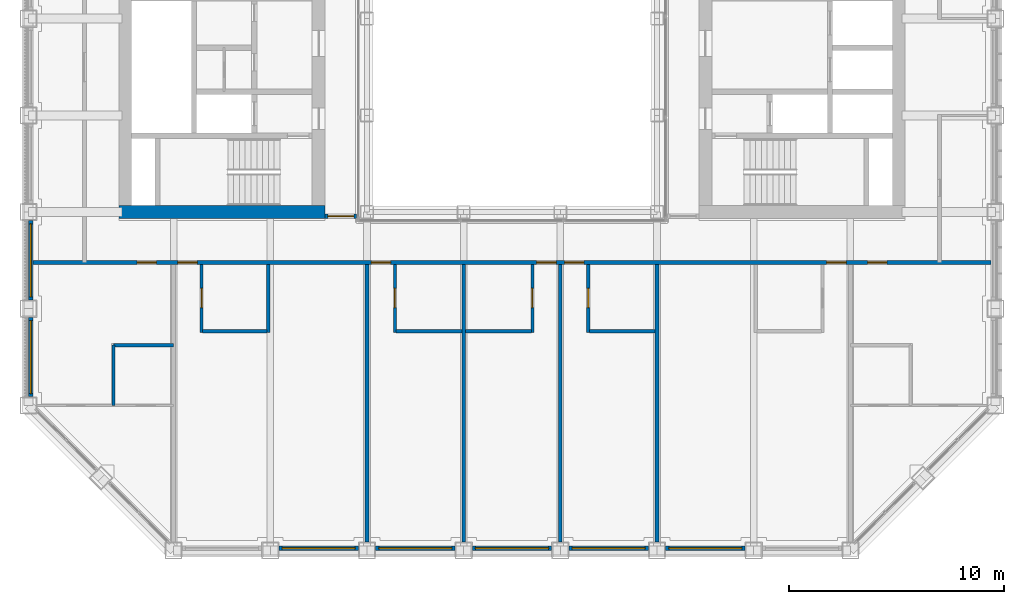
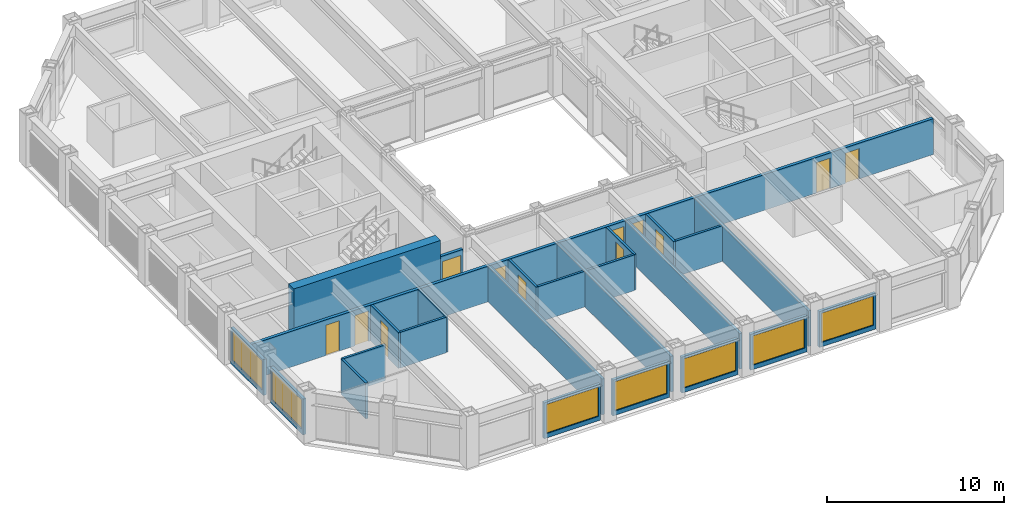
# One storey, part 10 of 17: 25 walls, 12 doors, 7 windows, 19 openings.
"""IFC4 building model written with IfcOpenShell, lengths in metres."""

from ifc_helpers import new_model, si_unit, direction, frame, frame_2d, origin, place, context, subcontext, project, spatial, rectangle, extrude, material, layer, layer_set, type_object, element, fill, save


model = new_model("IFC4")

# Units and contexts
model_context = context("Model", 3, precision=1e-05, world=origin(), true_north=direction((0.0, 1.0)))
body_context = subcontext(model_context, "Body", "Model", "MODEL_VIEW")
ifc_project = project(units=[si_unit("LENGTHUNIT", "METRE"), si_unit("AREAUNIT", "SQUARE_METRE"), si_unit("VOLUMEUNIT", "CUBIC_METRE"), si_unit("PLANEANGLEUNIT", "RADIAN"), si_unit("MASSUNIT", "GRAM", prefix="KILO")], contexts=[model_context])

# Site, building, storey
site_placement = place(None, origin())
site = spatial("IfcSite", under=ifc_project, at=site_placement, CompositionType="ELEMENT")
building_placement = place(site_placement, origin())
building = spatial("IfcBuilding", under=site, at=building_placement, Name="Msasa Ring Tower", CompositionType="ELEMENT")
storey_placement = place(building_placement, frame((0.0, 0.0, 154.39990234375)))
storey = spatial("IfcBuildingStorey", under=building, at=storey_placement, Name="L40", CompositionType="ELEMENT", Elevation=154.39990234375)

# Wall
ifc_material_1 = material(Name="Concrete C60/75", Category="concrete")
ifc_layer_1 = layer(ifc_material_1, 0.60009765625)
ifc_layer_set_1 = layer_set([ifc_layer_1], Name="CW2 CORE WALL 600")
wall_type_1 = type_object("IfcWallType", Name="CW2 CORE WALL 600", PredefinedType="SHEAR", material=ifc_layer_set_1)
wall_1_placement = place(storey_placement, frame((-8.699951171875, -6.75, 0.0), z_axis=(0.0, 0.0, 1.0), x_axis=(-1.0, 0.0, 0.0)))
element("IfcWall", 1, at=wall_1_placement, inside=storey, type_object=wall_type_1, Name="W core wall S L40", PredefinedType="SHEAR", context=body_context, shape_type="SweptSolid", body=[
    extrude(rectangle(XDim=9.60009765625, YDim=0.60009765625, at=frame_2d((4.800048828125, 0.0))), origin(), (0.0, 0.0, 1.0), 3.60009765625),
])

# Wall, opening, window
ifc_material_2 = material(Name="Terracotta rainscreen on blockwork", Category="masonry")
ifc_layer_2 = layer(ifc_material_2, 0.199951171875)
ifc_layer_set_2 = layer_set([ifc_layer_2], Name="FW1 TERRACOTTA-LINED INFILL BAY WALL 200")
wall_type_2 = type_object("IfcWallType", Name="FW1 TERRACOTTA-LINED INFILL BAY WALL 200", PredefinedType="SOLIDWALL", material=ifc_layer_set_2)
wall_2_placement = place(storey_placement, frame((-10.844970703125, -22.39990234375, 0.0), z_axis=(0.0, 0.0, 1.0), x_axis=(1.0, 0.0, 0.0)))
wall_2 = element("IfcWall", 2, at=wall_2_placement, inside=storey, type_object=wall_type_2, Name="Infill bay wall S L40 01", PredefinedType="SOLIDWALL", context=body_context, shape_type="SweptSolid", body=[
    extrude(rectangle(XDim=3.68994140625, YDim=0.199951171875, at=frame_2d((1.844970703125, 0.0))), origin(), (0.0, 0.0, 1.0), 2.47900390625),
])
opening_1_placement = place(wall_2_placement, frame((0.14501953125, 0.0, 0.300048828125)))
opening_1 = element("IfcOpeningElement", 3, at=opening_1_placement, cuts=wall_2, Name="Opening WN2", PredefinedType="OPENING", context=body_context, shape_type="SweptSolid", body=[
    extrude(rectangle(XDim=3.39990234375, YDim=2.029052734375, at=frame_2d((1.699951171875, 1.0146484375))), frame((0.0, 0.10986328125, 0.0), z_axis=(0.0, -1.0, 0.0), x_axis=(1.0, 0.0, 0.0)), (0.0, 0.0, 1.0), 0.219970703125),
])
ifc_material_3 = material(Name="Aluminium frame with clear glass", Category="aluminium")
window_type = type_object("IfcWindowType", Name="WN2 GUEST ROOM WINDOW 3400x2029", PartitioningType="SINGLE_PANEL", PredefinedType="WINDOW", material=ifc_material_3)
window_1_placement = place(opening_1_placement, origin())
window_1 = element("IfcWindow", 4, at=window_1_placement, inside=storey, type_object=window_type, Name="Window S L40 01", OverallHeight=2.029052734375, OverallWidth=3.39990234375, PartitioningType="SINGLE_PANEL", PredefinedType="WINDOW", context=body_context, shape_type="SweptSolid", body=[
    extrude(rectangle(XDim=3.39990234375, YDim=2.029052734375, at=frame_2d((1.699951171875, 1.0146484375))), frame((0.0, 0.030029296875, 0.0), z_axis=(0.0, -1.0, 0.0), x_axis=(1.0, 0.0, 0.0)), (0.0, 0.0, 1.0), 0.06005859375),
])
fill(opening_1, window_1)

wall_3_placement = place(storey_placement, frame((-6.344970703125, -22.39990234375, 0.0), z_axis=(0.0, 0.0, 1.0), x_axis=(1.0, 0.0, 0.0)))
wall_3 = element("IfcWall", 5, at=wall_3_placement, inside=storey, type_object=wall_type_2, Name="Infill bay wall S L40 02", PredefinedType="SOLIDWALL", context=body_context, shape_type="SweptSolid", body=[
    extrude(rectangle(XDim=3.68994140625, YDim=0.199951171875, at=frame_2d((1.844970703125, 0.0))), origin(), (0.0, 0.0, 1.0), 2.47900390625),
])
opening_2_placement = place(wall_3_placement, frame((0.14501953125, 0.0, 0.300048828125)))
opening_2 = element("IfcOpeningElement", 6, at=opening_2_placement, cuts=wall_3, Name="Opening WN2", PredefinedType="OPENING", context=body_context, shape_type="SweptSolid", body=[
    extrude(rectangle(XDim=3.39990234375, YDim=2.029052734375, at=frame_2d((1.699951171875, 1.0146484375))), frame((0.0, 0.10986328125, 0.0), z_axis=(0.0, -1.0, 0.0), x_axis=(1.0, 0.0, 0.0)), (0.0, 0.0, 1.0), 0.219970703125),
])
window_2_placement = place(opening_2_placement, origin())
window_2 = element("IfcWindow", 7, at=window_2_placement, inside=storey, type_object=window_type, Name="Window S L40 02", OverallHeight=2.029052734375, OverallWidth=3.39990234375, PartitioningType="SINGLE_PANEL", PredefinedType="WINDOW", context=body_context, shape_type="SweptSolid", body=[
    extrude(rectangle(XDim=3.39990234375, YDim=2.029052734375, at=frame_2d((1.699951171875, 1.0146484375))), frame((0.0, 0.030029296875, 0.0), z_axis=(0.0, -1.0, 0.0), x_axis=(1.0, 0.0, 0.0)), (0.0, 0.0, 1.0), 0.06005859375),
])
fill(opening_2, window_2)

wall_4_placement = place(storey_placement, frame((-1.844970703125, -22.39990234375, 0.0), z_axis=(0.0, 0.0, 1.0), x_axis=(1.0, 0.0, 0.0)))
wall_4 = element("IfcWall", 8, at=wall_4_placement, inside=storey, type_object=wall_type_2, Name="Infill bay wall S L40 03", PredefinedType="SOLIDWALL", context=body_context, shape_type="SweptSolid", body=[
    extrude(rectangle(XDim=3.68994140625, YDim=0.199951171875, at=frame_2d((1.844970703125, 0.0))), origin(), (0.0, 0.0, 1.0), 2.47900390625),
])
opening_3_placement = place(wall_4_placement, frame((0.14501953125, 0.0, 0.300048828125)))
opening_3 = element("IfcOpeningElement", 9, at=opening_3_placement, cuts=wall_4, Name="Opening WN2", PredefinedType="OPENING", context=body_context, shape_type="SweptSolid", body=[
    extrude(rectangle(XDim=3.39990234375, YDim=2.029052734375, at=frame_2d((1.699951171875, 1.0146484375))), frame((0.0, 0.10986328125, 0.0), z_axis=(0.0, -1.0, 0.0), x_axis=(1.0, 0.0, 0.0)), (0.0, 0.0, 1.0), 0.219970703125),
])
window_3_placement = place(opening_3_placement, origin())
window_3 = element("IfcWindow", 10, at=window_3_placement, inside=storey, type_object=window_type, Name="Window S L40 03", OverallHeight=2.029052734375, OverallWidth=3.39990234375, PartitioningType="SINGLE_PANEL", PredefinedType="WINDOW", context=body_context, shape_type="SweptSolid", body=[
    extrude(rectangle(XDim=3.39990234375, YDim=2.029052734375, at=frame_2d((1.699951171875, 1.0146484375))), frame((0.0, 0.030029296875, 0.0), z_axis=(0.0, -1.0, 0.0), x_axis=(1.0, 0.0, 0.0)), (0.0, 0.0, 1.0), 0.06005859375),
])
fill(opening_3, window_3)

wall_5_placement = place(storey_placement, frame((2.655029296875, -22.39990234375, 0.0), z_axis=(0.0, 0.0, 1.0), x_axis=(1.0, 0.0, 0.0)))
wall_5 = element("IfcWall", 11, at=wall_5_placement, inside=storey, type_object=wall_type_2, Name="Infill bay wall S L40 04", PredefinedType="SOLIDWALL", context=body_context, shape_type="SweptSolid", body=[
    extrude(rectangle(XDim=3.68994140625, YDim=0.199951171875, at=frame_2d((1.844970703125, 0.0))), origin(), (0.0, 0.0, 1.0), 2.47900390625),
])
opening_4_placement = place(wall_5_placement, frame((0.14501953125, 0.0, 0.300048828125)))
opening_4 = element("IfcOpeningElement", 12, at=opening_4_placement, cuts=wall_5, Name="Opening WN2", PredefinedType="OPENING", context=body_context, shape_type="SweptSolid", body=[
    extrude(rectangle(XDim=3.39990234375, YDim=2.029052734375, at=frame_2d((1.699951171875, 1.0146484375))), frame((0.0, 0.10986328125, 0.0), z_axis=(0.0, -1.0, 0.0), x_axis=(1.0, 0.0, 0.0)), (0.0, 0.0, 1.0), 0.219970703125),
])
window_4_placement = place(opening_4_placement, origin())
window_4 = element("IfcWindow", 13, at=window_4_placement, inside=storey, type_object=window_type, Name="Window S L40 04", OverallHeight=2.029052734375, OverallWidth=3.39990234375, PartitioningType="SINGLE_PANEL", PredefinedType="WINDOW", context=body_context, shape_type="SweptSolid", body=[
    extrude(rectangle(XDim=3.39990234375, YDim=2.029052734375, at=frame_2d((1.699951171875, 1.0146484375))), frame((0.0, 0.030029296875, 0.0), z_axis=(0.0, -1.0, 0.0), x_axis=(1.0, 0.0, 0.0)), (0.0, 0.0, 1.0), 0.06005859375),
])
fill(opening_4, window_4)

wall_6_placement = place(storey_placement, frame((7.155029296875, -22.39990234375, 0.0), z_axis=(0.0, 0.0, 1.0), x_axis=(1.0, 0.0, 0.0)))
wall_6 = element("IfcWall", 14, at=wall_6_placement, inside=storey, type_object=wall_type_2, Name="Infill bay wall S L40 05", PredefinedType="SOLIDWALL", context=body_context, shape_type="SweptSolid", body=[
    extrude(rectangle(XDim=3.68994140625, YDim=0.199951171875, at=frame_2d((1.844970703125, 0.0))), origin(), (0.0, 0.0, 1.0), 2.47900390625),
])
opening_5_placement = place(wall_6_placement, frame((0.14501953125, 0.0, 0.300048828125)))
opening_5 = element("IfcOpeningElement", 15, at=opening_5_placement, cuts=wall_6, Name="Opening WN2", PredefinedType="OPENING", context=body_context, shape_type="SweptSolid", body=[
    extrude(rectangle(XDim=3.39990234375, YDim=2.029052734375, at=frame_2d((1.699951171875, 1.0146484375))), frame((0.0, 0.10986328125, 0.0), z_axis=(0.0, -1.0, 0.0), x_axis=(1.0, 0.0, 0.0)), (0.0, 0.0, 1.0), 0.219970703125),
])
window_5_placement = place(opening_5_placement, origin())
window_5 = element("IfcWindow", 16, at=window_5_placement, inside=storey, type_object=window_type, Name="Window S L40 05", OverallHeight=2.029052734375, OverallWidth=3.39990234375, PartitioningType="SINGLE_PANEL", PredefinedType="WINDOW", context=body_context, shape_type="SweptSolid", body=[
    extrude(rectangle(XDim=3.39990234375, YDim=2.029052734375, at=frame_2d((1.699951171875, 1.0146484375))), frame((0.0, 0.030029296875, 0.0), z_axis=(0.0, -1.0, 0.0), x_axis=(1.0, 0.0, 0.0)), (0.0, 0.0, 1.0), 0.06005859375),
])
fill(opening_5, window_5)

wall_7_placement = place(storey_placement, frame((-22.39990234375, -15.344970703125, 0.0), z_axis=(0.0, 0.0, 1.0), x_axis=(0.0, 1.0, 0.0)))
wall_7 = element("IfcWall", 17, at=wall_7_placement, inside=storey, type_object=wall_type_2, Name="Infill bay wall W L40 27", PredefinedType="SOLIDWALL", context=body_context, shape_type="SweptSolid", body=[
    extrude(rectangle(XDim=3.68994140625, YDim=0.199951171875, at=frame_2d((1.844970703125, 0.0))), origin(), (0.0, 0.0, 1.0), 2.47900390625),
])
opening_6_placement = place(wall_7_placement, frame((0.14501953125, 0.0, 0.300048828125)))
opening_6 = element("IfcOpeningElement", 18, at=opening_6_placement, cuts=wall_7, Name="Opening WN2", PredefinedType="OPENING", context=body_context, shape_type="SweptSolid", body=[
    extrude(rectangle(XDim=3.39990234375, YDim=2.029052734375, at=frame_2d((1.699951171875, 1.0146484375))), frame((0.0, 0.10986328125, 0.0), z_axis=(0.0, -1.0, 0.0), x_axis=(1.0, 0.0, 0.0)), (0.0, 0.0, 1.0), 0.219970703125),
])
window_6_placement = place(opening_6_placement, origin())
window_6 = element("IfcWindow", 19, at=window_6_placement, inside=storey, type_object=window_type, Name="Window W L40 27", OverallHeight=2.029052734375, OverallWidth=3.39990234375, PartitioningType="SINGLE_PANEL", PredefinedType="WINDOW", context=body_context, shape_type="SweptSolid", body=[
    extrude(rectangle(XDim=3.39990234375, YDim=2.029052734375, at=frame_2d((1.699951171875, 1.0146484375))), frame((0.0, 0.030029296875, 0.0), z_axis=(0.0, -1.0, 0.0), x_axis=(1.0, 0.0, 0.0)), (0.0, 0.0, 1.0), 0.06005859375),
])
fill(opening_6, window_6)

wall_8_placement = place(storey_placement, frame((-22.39990234375, -10.844970703125, 0.0), z_axis=(0.0, 0.0, 1.0), x_axis=(0.0, 1.0, 0.0)))
wall_8 = element("IfcWall", 20, at=wall_8_placement, inside=storey, type_object=wall_type_2, Name="Infill bay wall W L40 28", PredefinedType="SOLIDWALL", context=body_context, shape_type="SweptSolid", body=[
    extrude(rectangle(XDim=3.68994140625, YDim=0.199951171875, at=frame_2d((1.844970703125, 0.0))), origin(), (0.0, 0.0, 1.0), 2.47900390625),
])
opening_7_placement = place(wall_8_placement, frame((0.14501953125, 0.0, 0.300048828125)))
opening_7 = element("IfcOpeningElement", 21, at=opening_7_placement, cuts=wall_8, Name="Opening WN2", PredefinedType="OPENING", context=body_context, shape_type="SweptSolid", body=[
    extrude(rectangle(XDim=3.39990234375, YDim=2.029052734375, at=frame_2d((1.699951171875, 1.0146484375))), frame((0.0, 0.10986328125, 0.0), z_axis=(0.0, -1.0, 0.0), x_axis=(1.0, 0.0, 0.0)), (0.0, 0.0, 1.0), 0.219970703125),
])
window_7_placement = place(opening_7_placement, origin())
window_7 = element("IfcWindow", 22, at=window_7_placement, inside=storey, type_object=window_type, Name="Window W L40 28", OverallHeight=2.029052734375, OverallWidth=3.39990234375, PartitioningType="SINGLE_PANEL", PredefinedType="WINDOW", context=body_context, shape_type="SweptSolid", body=[
    extrude(rectangle(XDim=3.39990234375, YDim=2.029052734375, at=frame_2d((1.699951171875, 1.0146484375))), frame((0.0, 0.030029296875, 0.0), z_axis=(0.0, -1.0, 0.0), x_axis=(1.0, 0.0, 0.0)), (0.0, 0.0, 1.0), 0.06005859375),
])
fill(opening_7, window_7)

# Wall, opening, door
ifc_material_4 = material(Name="Concrete blockwork", Category="masonry")
ifc_layer_3 = layer(ifc_material_4, 0.199951171875)
ifc_layer_set_3 = layer_set([ifc_layer_3], Name="PT1 CORRIDOR WALL 200")
wall_type_3 = type_object("IfcWallType", Name="PT1 CORRIDOR WALL 200", PredefinedType="PARTITIONING", material=ifc_layer_set_3)
wall_9_placement = place(storey_placement, frame((-8.699951171875, -6.949951171875, 0.0), z_axis=(0.0, 0.0, 1.0), x_axis=(1.0, 0.0, 0.0)))
wall_9 = element("IfcWall", 23, at=wall_9_placement, inside=storey, type_object=wall_type_3, Name="Corridor wall L40-SDWS", PredefinedType="PARTITIONING", context=body_context, shape_type="SweptSolid", body=[
    extrude(rectangle(XDim=1.469970703125, YDim=0.199951171875, at=frame_2d((0.73486328125, 0.0))), origin(), (0.0, 0.0, 1.0), 2.473388671875),
])
opening_8_placement = place(wall_9_placement, frame((0.135009765625, 0.0, 0.0)))
opening_8 = element("IfcOpeningElement", 24, at=opening_8_placement, cuts=wall_9, Name="Opening HD-031", PredefinedType="OPENING", context=body_context, shape_type="SweptSolid", body=[
    extrude(rectangle(XDim=1.199951171875, YDim=2.10009765625, at=frame_2d((0.60009765625, 1.050048828125))), frame((0.0, 0.10986328125, 0.0), z_axis=(0.0, -1.0, 0.0), x_axis=(1.0, 0.0, 0.0)), (0.0, 0.0, 1.0), 0.219970703125),
])
ifc_material_5 = material(Name="Timber door leaf in a steel frame", Category="steel")
door_type_1 = type_object("IfcDoorType", Name="D25 CORRIDOR PAIR OF SMOKE DOORS 1200x2100", OperationType="DOUBLE_DOOR_DOUBLE_SWING", PredefinedType="DOOR", material=ifc_material_5)
door_1_placement = place(opening_8_placement, origin())
door_1 = element("IfcDoor", 25, at=door_1_placement, inside=storey, type_object=door_type_1, Name="Door L40-SDWS", OperationType="DOUBLE_DOOR_DOUBLE_SWING", OverallHeight=2.10009765625, OverallWidth=1.199951171875, PredefinedType="DOOR", context=body_context, shape_type="SweptSolid", body=[
    extrude(rectangle(XDim=1.199951171875, YDim=2.10009765625, at=frame_2d((0.60009765625, 1.050048828125))), frame((0.0, 0.02490234375, 0.0), z_axis=(0.0, -1.0, 0.0), x_axis=(1.0, 0.0, 0.0)), (0.0, 0.0, 1.0), 0.050048828125),
])
fill(opening_8, door_1)

# Wall, openings, doors
wall_10_placement = place(storey_placement, frame((-22.300048828125, -9.10009765625, 0.0), z_axis=(0.0, 0.0, 1.0), x_axis=(1.0, 0.0, 0.0)))
wall_10 = element("IfcWall", 26, at=wall_10_placement, inside=storey, type_object=wall_type_3, Name="Corridor wall L40-CORRS0", PredefinedType="PARTITIONING", context=body_context, shape_type="SweptSolid", body=[
    extrude(rectangle(XDim=44.60009765625, YDim=0.199951171875, at=frame_2d((22.300048828125, 0.0))), origin(), (0.0, 0.0, 1.0), 2.473388671875),
])
opening_9_placement = place(wall_10_placement, frame((6.75, 0.0, 0.0)))
opening_9 = element("IfcOpeningElement", 27, at=opening_9_placement, cuts=wall_10, Name="Opening HD-034", PredefinedType="OPENING", context=body_context, shape_type="SweptSolid", body=[
    extrude(rectangle(XDim=0.89990234375, YDim=2.10009765625, at=frame_2d((0.449951171875, 1.050048828125))), frame((0.0, 0.10986328125, 0.0), z_axis=(0.0, -1.0, 0.0), x_axis=(1.0, 0.0, 0.0)), (0.0, 0.0, 1.0), 0.219970703125),
])
opening_10_placement = place(wall_10_placement, frame((15.75, 0.0, 0.0)))
opening_10 = element("IfcOpeningElement", 28, at=opening_10_placement, cuts=wall_10, Name="Opening HD-035", PredefinedType="OPENING", context=body_context, shape_type="SweptSolid", body=[
    extrude(rectangle(XDim=0.89990234375, YDim=2.10009765625, at=frame_2d((0.449951171875, 1.050048828125))), frame((0.0, 0.10986328125, 0.0), z_axis=(0.0, -1.0, 0.0), x_axis=(1.0, 0.0, 0.0)), (0.0, 0.0, 1.0), 0.219970703125),
])
opening_11_placement = place(wall_10_placement, frame((23.449951171875, 0.0, 0.0)))
opening_11 = element("IfcOpeningElement", 29, at=opening_11_placement, cuts=wall_10, Name="Opening HD-036", PredefinedType="OPENING", context=body_context, shape_type="SweptSolid", body=[
    extrude(rectangle(XDim=0.89990234375, YDim=2.10009765625, at=frame_2d((0.449951171875, 1.050048828125))), frame((0.0, 0.10986328125, 0.0), z_axis=(0.0, -1.0, 0.0), x_axis=(1.0, 0.0, 0.0)), (0.0, 0.0, 1.0), 0.219970703125),
])
opening_12_placement = place(wall_10_placement, frame((24.75, 0.0, 0.0)))
opening_12 = element("IfcOpeningElement", 30, at=opening_12_placement, cuts=wall_10, Name="Opening HD-037", PredefinedType="OPENING", context=body_context, shape_type="SweptSolid", body=[
    extrude(rectangle(XDim=0.89990234375, YDim=2.10009765625, at=frame_2d((0.449951171875, 1.050048828125))), frame((0.0, 0.10986328125, 0.0), z_axis=(0.0, -1.0, 0.0), x_axis=(1.0, 0.0, 0.0)), (0.0, 0.0, 1.0), 0.219970703125),
])
opening_13_placement = place(wall_10_placement, frame((36.949951171875, 0.0, 0.0)))
opening_13 = element("IfcOpeningElement", 31, at=opening_13_placement, cuts=wall_10, Name="Opening HD-038", PredefinedType="OPENING", context=body_context, shape_type="SweptSolid", body=[
    extrude(rectangle(XDim=0.89990234375, YDim=2.10009765625, at=frame_2d((0.449951171875, 1.050048828125))), frame((0.0, 0.10986328125, 0.0), z_axis=(0.0, -1.0, 0.0), x_axis=(1.0, 0.0, 0.0)), (0.0, 0.0, 1.0), 0.219970703125),
])
opening_14_placement = place(wall_10_placement, frame((38.85009765625, 0.0, 0.0)))
opening_14 = element("IfcOpeningElement", 32, at=opening_14_placement, cuts=wall_10, Name="Opening HD-039", PredefinedType="OPENING", context=body_context, shape_type="SweptSolid", body=[
    extrude(rectangle(XDim=0.89990234375, YDim=2.10009765625, at=frame_2d((0.449951171875, 1.050048828125))), frame((0.0, 0.10986328125, 0.0), z_axis=(0.0, -1.0, 0.0), x_axis=(1.0, 0.0, 0.0)), (0.0, 0.0, 1.0), 0.219970703125),
])
opening_15_placement = place(wall_10_placement, frame((4.85009765625, 0.0, 0.0)))
opening_15 = element("IfcOpeningElement", 33, at=opening_15_placement, cuts=wall_10, Name="Opening HD-033", PredefinedType="OPENING", context=body_context, shape_type="SweptSolid", body=[
    extrude(rectangle(XDim=0.89990234375, YDim=2.10009765625, at=frame_2d((0.449951171875, 1.050048828125))), frame((0.0, 0.10986328125, 0.0), z_axis=(0.0, -1.0, 0.0), x_axis=(1.0, 0.0, 0.0)), (0.0, 0.0, 1.0), 0.219970703125),
])
ifc_material_6 = material(Name="Timber door leaf in a steel frame", Category="steel")
door_type_2 = type_object("IfcDoorType", Name="D1 SINGLE DOOR TO CORRIDOR 900x2100", OperationType="SINGLE_SWING_LEFT", PredefinedType="DOOR", material=ifc_material_6)
door_2_placement = place(opening_9_placement, origin())
door_2 = element("IfcDoor", 34, at=door_2_placement, inside=storey, type_object=door_type_2, Name="Door L40-GS00", OperationType="SINGLE_SWING_LEFT", OverallHeight=2.10009765625, OverallWidth=0.89990234375, PredefinedType="DOOR", context=body_context, shape_type="SweptSolid", body=[
    extrude(rectangle(XDim=0.89990234375, YDim=2.10009765625, at=frame_2d((0.449951171875, 1.050048828125))), frame((0.0, 0.02490234375, 0.0), z_axis=(0.0, -1.0, 0.0), x_axis=(1.0, 0.0, 0.0)), (0.0, 0.0, 1.0), 0.050048828125),
])
fill(opening_9, door_2)
door_3_placement = place(opening_10_placement, origin())
door_3 = element("IfcDoor", 35, at=door_3_placement, inside=storey, type_object=door_type_2, Name="Door L40-GS01", OperationType="SINGLE_SWING_LEFT", OverallHeight=2.10009765625, OverallWidth=0.89990234375, PredefinedType="DOOR", context=body_context, shape_type="SweptSolid", body=[
    extrude(rectangle(XDim=0.89990234375, YDim=2.10009765625, at=frame_2d((0.449951171875, 1.050048828125))), frame((0.0, 0.02490234375, 0.0), z_axis=(0.0, -1.0, 0.0), x_axis=(1.0, 0.0, 0.0)), (0.0, 0.0, 1.0), 0.050048828125),
])
fill(opening_10, door_3)
door_4_placement = place(opening_11_placement, origin())
door_4 = element("IfcDoor", 36, at=door_4_placement, inside=storey, type_object=door_type_2, Name="Door L40-GS02", OperationType="SINGLE_SWING_RIGHT", OverallHeight=2.10009765625, OverallWidth=0.89990234375, PredefinedType="DOOR", context=body_context, shape_type="SweptSolid", body=[
    extrude(rectangle(XDim=0.89990234375, YDim=2.10009765625, at=frame_2d((0.449951171875, 1.050048828125))), frame((0.0, 0.02490234375, 0.0), z_axis=(0.0, -1.0, 0.0), x_axis=(1.0, 0.0, 0.0)), (0.0, 0.0, 1.0), 0.050048828125),
])
fill(opening_11, door_4)
door_5_placement = place(opening_12_placement, origin())
door_5 = element("IfcDoor", 37, at=door_5_placement, inside=storey, type_object=door_type_2, Name="Door L40-GS03", OperationType="SINGLE_SWING_RIGHT", OverallHeight=2.10009765625, OverallWidth=0.89990234375, PredefinedType="DOOR", context=body_context, shape_type="SweptSolid", body=[
    extrude(rectangle(XDim=0.89990234375, YDim=2.10009765625, at=frame_2d((0.449951171875, 1.050048828125))), frame((0.0, 0.02490234375, 0.0), z_axis=(0.0, -1.0, 0.0), x_axis=(1.0, 0.0, 0.0)), (0.0, 0.0, 1.0), 0.050048828125),
])
fill(opening_12, door_5)
door_6_placement = place(opening_13_placement, origin())
door_6 = element("IfcDoor", 38, at=door_6_placement, inside=storey, type_object=door_type_2, Name="Door L40-GS04", OperationType="SINGLE_SWING_RIGHT", OverallHeight=2.10009765625, OverallWidth=0.89990234375, PredefinedType="DOOR", context=body_context, shape_type="SweptSolid", body=[
    extrude(rectangle(XDim=0.89990234375, YDim=2.10009765625, at=frame_2d((0.449951171875, 1.050048828125))), frame((0.0, 0.02490234375, 0.0), z_axis=(0.0, -1.0, 0.0), x_axis=(1.0, 0.0, 0.0)), (0.0, 0.0, 1.0), 0.050048828125),
])
fill(opening_13, door_6)
ifc_material_7 = material(Name="Timber door leaf in a steel frame", Category="steel")
door_type_3 = type_object("IfcDoorType", Name="D2 ENTRANCE DOOR 900x2100", OperationType="SINGLE_SWING_LEFT", PredefinedType="DOOR", material=ifc_material_7)
door_7_placement = place(opening_14_placement, origin())
door_7 = element("IfcDoor", 39, at=door_7_placement, inside=storey, type_object=door_type_3, Name="Door L40-CSSE", OperationType="SINGLE_SWING_RIGHT", OverallHeight=2.10009765625, OverallWidth=0.89990234375, PredefinedType="DOOR", context=body_context, shape_type="SweptSolid", body=[
    extrude(rectangle(XDim=0.89990234375, YDim=2.10009765625, at=frame_2d((0.449951171875, 1.050048828125))), frame((0.0, 0.02490234375, 0.0), z_axis=(0.0, -1.0, 0.0), x_axis=(1.0, 0.0, 0.0)), (0.0, 0.0, 1.0), 0.050048828125),
])
fill(opening_14, door_7)
door_8_placement = place(opening_15_placement, origin())
door_8 = element("IfcDoor", 40, at=door_8_placement, inside=storey, type_object=door_type_3, Name="Door L40-CSSW", OperationType="SINGLE_SWING_LEFT", OverallHeight=2.10009765625, OverallWidth=0.89990234375, PredefinedType="DOOR", context=body_context, shape_type="SweptSolid", body=[
    extrude(rectangle(XDim=0.89990234375, YDim=2.10009765625, at=frame_2d((0.449951171875, 1.050048828125))), frame((0.0, 0.02490234375, 0.0), z_axis=(0.0, -1.0, 0.0), x_axis=(1.0, 0.0, 0.0)), (0.0, 0.0, 1.0), 0.050048828125),
])
fill(opening_15, door_8)

# Wall, opening, door
ifc_material_8 = material(Name="Moisture-resistant board on steel studs with a concealed cistern and pipe void, tiled", Category="steel")
ifc_layer_4 = layer(ifc_material_8, 0.14990234375)
ifc_layer_set_4 = layer_set([ifc_layer_4], Name="PT4 BATHROOM WET WALL 150")
wall_type_4 = type_object("IfcWallType", Name="PT4 BATHROOM WET WALL 150", PredefinedType="PARTITIONING", material=ifc_layer_set_4)
wall_11_placement = place(storey_placement, frame((-14.449951171875, -12.35009765625, 0.0), z_axis=(0.0, 0.0, 1.0), x_axis=(0.0, 1.0, 0.0)))
wall_11 = element("IfcWall", 41, at=wall_11_placement, inside=storey, type_object=wall_type_4, Name="Partition L40-GS00BX", PredefinedType="PARTITIONING", context=body_context, shape_type="SweptSolid", body=[
    extrude(rectangle(XDim=3.150146484375, YDim=0.14990234375, at=frame_2d((1.5751953125, 0.0))), origin(), (0.0, 0.0, 1.0), 2.473388671875),
])
opening_16_placement = place(wall_11_placement, frame((1.14990234375, 0.0, 0.0)))
opening_16 = element("IfcOpeningElement", 42, at=opening_16_placement, cuts=wall_11, Name="Opening HD-040", PredefinedType="OPENING", context=body_context, shape_type="SweptSolid", body=[
    extrude(rectangle(XDim=0.89990234375, YDim=2.10009765625, at=frame_2d((0.449951171875, 1.050048828125))), frame((0.0, 0.0849609375, 0.0), z_axis=(0.0, -1.0, 0.0), x_axis=(1.0, 0.0, 0.0)), (0.0, 0.0, 1.0), 0.169921875),
])
ifc_material_9 = material(Name="Timber door leaf in a steel frame", Category="steel")
door_type_4 = type_object("IfcDoorType", Name="D3 BATHROOM DOOR 900x2100", OperationType="SINGLE_SWING_LEFT", PredefinedType="DOOR", material=ifc_material_9)
door_9_placement = place(opening_16_placement, origin())
door_9 = element("IfcDoor", 43, at=door_9_placement, inside=storey, type_object=door_type_4, Name="Door L40-GS00B", OperationType="SINGLE_SWING_LEFT", OverallHeight=2.10009765625, OverallWidth=0.89990234375, PredefinedType="DOOR", context=body_context, shape_type="SweptSolid", body=[
    extrude(rectangle(XDim=0.89990234375, YDim=2.10009765625, at=frame_2d((0.449951171875, 1.050048828125))), frame((0.0, 0.02490234375, 0.0), z_axis=(0.0, -1.0, 0.0), x_axis=(1.0, 0.0, 0.0)), (0.0, 0.0, 1.0), 0.050048828125),
])
fill(opening_16, door_9)

# Walls
wall_12_placement = place(storey_placement, frame((-11.35009765625, -12.35009765625, 0.0), z_axis=(0.0, 0.0, 1.0), x_axis=(0.0, 1.0, 0.0)))
element("IfcWall", 44, at=wall_12_placement, inside=storey, type_object=wall_type_4, Name="Partition L40-GS00BF", PredefinedType="PARTITIONING", context=body_context, shape_type="SweptSolid", body=[
    extrude(rectangle(XDim=3.150146484375, YDim=0.14990234375, at=frame_2d((1.5751953125, 0.0))), origin(), (0.0, 0.0, 1.0), 2.473388671875),
])
wall_13_placement = place(storey_placement, frame((-14.39990234375, -12.300048828125, 0.0), z_axis=(0.0, 0.0, 1.0), x_axis=(1.0, 0.0, 0.0)))
element("IfcWall", 45, at=wall_13_placement, inside=storey, type_object=wall_type_4, Name="Partition L40-GS00BY", PredefinedType="PARTITIONING", context=body_context, shape_type="SweptSolid", body=[
    extrude(rectangle(XDim=3.0, YDim=0.14990234375, at=frame_2d((1.5, 0.0))), origin(), (0.0, 0.0, 1.0), 2.473388671875),
])

# Wall, opening, door
wall_14_placement = place(storey_placement, frame((-5.449951171875, -12.35009765625, 0.0), z_axis=(0.0, 0.0, 1.0), x_axis=(0.0, 1.0, 0.0)))
wall_14 = element("IfcWall", 46, at=wall_14_placement, inside=storey, type_object=wall_type_4, Name="Partition L40-GS01BX", PredefinedType="PARTITIONING", context=body_context, shape_type="SweptSolid", body=[
    extrude(rectangle(XDim=3.150146484375, YDim=0.14990234375, at=frame_2d((1.5751953125, 0.0))), origin(), (0.0, 0.0, 1.0), 2.473388671875),
])
opening_17_placement = place(wall_14_placement, frame((1.14990234375, 0.0, 0.0)))
opening_17 = element("IfcOpeningElement", 47, at=opening_17_placement, cuts=wall_14, Name="Opening HD-041", PredefinedType="OPENING", context=body_context, shape_type="SweptSolid", body=[
    extrude(rectangle(XDim=0.89990234375, YDim=2.10009765625, at=frame_2d((0.449951171875, 1.050048828125))), frame((0.0, 0.0849609375, 0.0), z_axis=(0.0, -1.0, 0.0), x_axis=(1.0, 0.0, 0.0)), (0.0, 0.0, 1.0), 0.169921875),
])
door_10_placement = place(opening_17_placement, origin())
door_10 = element("IfcDoor", 48, at=door_10_placement, inside=storey, type_object=door_type_4, Name="Door L40-GS01B", OperationType="SINGLE_SWING_LEFT", OverallHeight=2.10009765625, OverallWidth=0.89990234375, PredefinedType="DOOR", context=body_context, shape_type="SweptSolid", body=[
    extrude(rectangle(XDim=0.89990234375, YDim=2.10009765625, at=frame_2d((0.449951171875, 1.050048828125))), frame((0.0, 0.02490234375, 0.0), z_axis=(0.0, -1.0, 0.0), x_axis=(1.0, 0.0, 0.0)), (0.0, 0.0, 1.0), 0.050048828125),
])
fill(opening_17, door_10)

# Wall
wall_15_placement = place(storey_placement, frame((-5.39990234375, -12.300048828125, 0.0), z_axis=(0.0, 0.0, 1.0), x_axis=(1.0, 0.0, 0.0)))
element("IfcWall", 49, at=wall_15_placement, inside=storey, type_object=wall_type_4, Name="Partition L40-GS01BY", PredefinedType="PARTITIONING", context=body_context, shape_type="SweptSolid", body=[
    extrude(rectangle(XDim=3.0625, YDim=0.14990234375, at=frame_2d((1.53125, 0.0))), origin(), (0.0, 0.0, 1.0), 2.473388671875),
])

# Wall, opening, door
wall_16_placement = place(storey_placement, frame((0.949951171875, -12.35009765625, 0.0), z_axis=(0.0, 0.0, 1.0), x_axis=(0.0, 1.0, 0.0)))
wall_16 = element("IfcWall", 50, at=wall_16_placement, inside=storey, type_object=wall_type_4, Name="Partition L40-GS02BX", PredefinedType="PARTITIONING", context=body_context, shape_type="SweptSolid", body=[
    extrude(rectangle(XDim=3.150146484375, YDim=0.14990234375, at=frame_2d((1.5751953125, 0.0))), origin(), (0.0, 0.0, 1.0), 2.473388671875),
])
opening_18_placement = place(wall_16_placement, frame((1.14990234375, 0.0, 0.0)))
opening_18 = element("IfcOpeningElement", 51, at=opening_18_placement, cuts=wall_16, Name="Opening HD-042", PredefinedType="OPENING", context=body_context, shape_type="SweptSolid", body=[
    extrude(rectangle(XDim=0.89990234375, YDim=2.10009765625, at=frame_2d((0.449951171875, 1.050048828125))), frame((0.0, 0.0849609375, 0.0), z_axis=(0.0, -1.0, 0.0), x_axis=(1.0, 0.0, 0.0)), (0.0, 0.0, 1.0), 0.169921875),
])
door_11_placement = place(opening_18_placement, origin())
door_11 = element("IfcDoor", 52, at=door_11_placement, inside=storey, type_object=door_type_4, Name="Door L40-GS02B", OperationType="SINGLE_SWING_LEFT", OverallHeight=2.10009765625, OverallWidth=0.89990234375, PredefinedType="DOOR", context=body_context, shape_type="SweptSolid", body=[
    extrude(rectangle(XDim=0.89990234375, YDim=2.10009765625, at=frame_2d((0.449951171875, 1.050048828125))), frame((0.0, 0.02490234375, 0.0), z_axis=(0.0, -1.0, 0.0), x_axis=(1.0, 0.0, 0.0)), (0.0, 0.0, 1.0), 0.050048828125),
])
fill(opening_18, door_11)

# Wall
wall_17_placement = place(storey_placement, frame((-2.16259765625, -12.300048828125, 0.0), z_axis=(0.0, 0.0, 1.0), x_axis=(1.0, 0.0, 0.0)))
element("IfcWall", 53, at=wall_17_placement, inside=storey, type_object=wall_type_4, Name="Partition L40-GS02BY", PredefinedType="PARTITIONING", context=body_context, shape_type="SweptSolid", body=[
    extrude(rectangle(XDim=3.0625, YDim=0.14990234375, at=frame_2d((1.53125, 0.0))), origin(), (0.0, 0.0, 1.0), 2.473388671875),
])

# Wall, opening, door
wall_18_placement = place(storey_placement, frame((3.550048828125, -12.35009765625, 0.0), z_axis=(0.0, 0.0, 1.0), x_axis=(0.0, 1.0, 0.0)))
wall_18 = element("IfcWall", 54, at=wall_18_placement, inside=storey, type_object=wall_type_4, Name="Partition L40-GS03BX", PredefinedType="PARTITIONING", context=body_context, shape_type="SweptSolid", body=[
    extrude(rectangle(XDim=3.150146484375, YDim=0.14990234375, at=frame_2d((1.5751953125, 0.0))), origin(), (0.0, 0.0, 1.0), 2.473388671875),
])
opening_19_placement = place(wall_18_placement, frame((1.14990234375, 0.0, 0.0)))
opening_19 = element("IfcOpeningElement", 55, at=opening_19_placement, cuts=wall_18, Name="Opening HD-043", PredefinedType="OPENING", context=body_context, shape_type="SweptSolid", body=[
    extrude(rectangle(XDim=0.89990234375, YDim=2.10009765625, at=frame_2d((0.449951171875, 1.050048828125))), frame((0.0, 0.0849609375, 0.0), z_axis=(0.0, -1.0, 0.0), x_axis=(1.0, 0.0, 0.0)), (0.0, 0.0, 1.0), 0.169921875),
])
door_12_placement = place(opening_19_placement, origin())
door_12 = element("IfcDoor", 56, at=door_12_placement, inside=storey, type_object=door_type_4, Name="Door L40-GS03B", OperationType="SINGLE_SWING_LEFT", OverallHeight=2.10009765625, OverallWidth=0.89990234375, PredefinedType="DOOR", context=body_context, shape_type="SweptSolid", body=[
    extrude(rectangle(XDim=0.89990234375, YDim=2.10009765625, at=frame_2d((0.449951171875, 1.050048828125))), frame((0.0, 0.02490234375, 0.0), z_axis=(0.0, -1.0, 0.0), x_axis=(1.0, 0.0, 0.0)), (0.0, 0.0, 1.0), 0.050048828125),
])
fill(opening_19, door_12)

# Walls
wall_19_placement = place(storey_placement, frame((3.60009765625, -12.300048828125, 0.0), z_axis=(0.0, 0.0, 1.0), x_axis=(1.0, 0.0, 0.0)))
element("IfcWall", 57, at=wall_19_placement, inside=storey, type_object=wall_type_4, Name="Partition L40-GS03BY", PredefinedType="PARTITIONING", context=body_context, shape_type="SweptSolid", body=[
    extrude(rectangle(XDim=3.0625, YDim=0.14990234375, at=frame_2d((1.53125, 0.0))), origin(), (0.0, 0.0, 1.0), 2.473388671875),
])
for number, where, z_axis, x_axis, name in (
    (58, (-18.550048828125, -15.75, 0.0), (0.0, 0.0, 1.0), (0.0, 1.0, 0.0), "Partition L40-CSSWBX"),
    (59, (-18.550048828125, -12.949951171875, 0.0), (0.0, 0.0, 1.0), (1.0, 0.0, 0.0), "Partition L40-CSSWBY"),
):
    element("IfcWall", number, at=place(storey_placement, frame(where, z_axis=z_axis, x_axis=x_axis)), inside=storey, type_object=wall_type_4, Name=name, PredefinedType="PARTITIONING", context=body_context, shape_type="SweptSolid", body=[
        extrude(rectangle(XDim=2.800048828125, YDim=0.14990234375, at=frame_2d((1.39990234375, 0.0))), origin(), (0.0, 0.0, 1.0), 2.473388671875),
    ])
ifc_material_10 = material(Name="Twin steel studs, two layers of acoustic board each face, mineral wool", Category="steel")
ifc_layer_5 = layer(ifc_material_10, 0.175048828125)
ifc_layer_set_5 = layer_set([ifc_layer_5], Name="PT5 GUEST ROOM SEPARATING WALL 175")
wall_type_5 = type_object("IfcWallType", Name="PT5 GUEST ROOM SEPARATING WALL 175", PredefinedType="PARTITIONING", material=ifc_layer_set_5)
for number, where, z_axis, x_axis, name in (
    (60, (-6.75, -22.10009765625, 0.0), (0.0, 0.0, 1.0), (0.0, 1.0, 0.0), "Partition L40-PWS-6.75"),
    (61, (-2.25, -22.10009765625, 0.0), (0.0, 0.0, 1.0), (0.0, 1.0, 0.0), "Partition L40-PWS-2.25"),
    (62, (2.25, -22.10009765625, 0.0), (0.0, 0.0, 1.0), (0.0, 1.0, 0.0), "Partition L40-PWS+2.25"),
    (63, (6.75, -22.10009765625, 0.0), (0.0, 0.0, 1.0), (0.0, 1.0, 0.0), "Partition L40-PWS+6.75"),
):
    element("IfcWall", number, at=place(storey_placement, frame(where, z_axis=z_axis, x_axis=x_axis)), inside=storey, type_object=wall_type_5, Name=name, PredefinedType="PARTITIONING", context=body_context, shape_type="SweptSolid", body=[
        extrude(rectangle(XDim=12.900146484375, YDim=0.175048828125, at=frame_2d((6.4501953125, 0.0))), origin(), (0.0, 0.0, 1.0), 2.473388671875),
    ])

save(model, "model.ifc")
